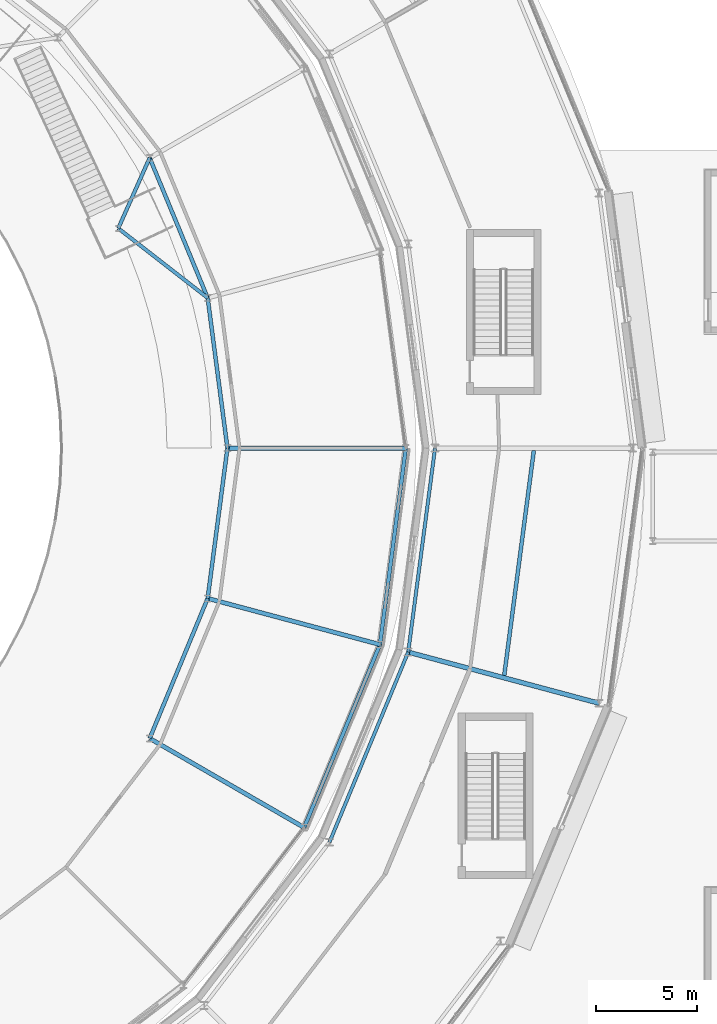
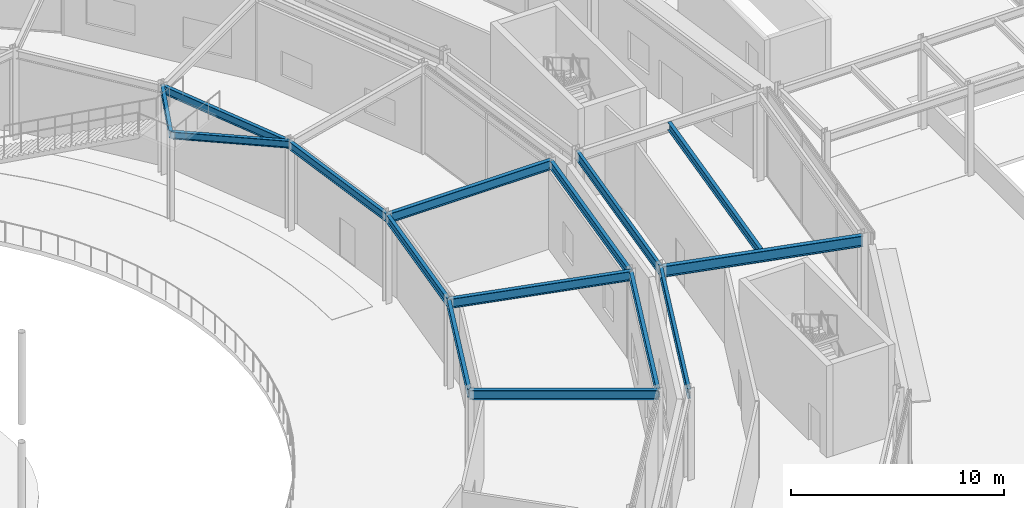
# One storey, part 54 of 168: 15 beams.
"""IFC4 building model written with IfcOpenShell, lengths in metres."""

from ifc_helpers import new_model, si_unit, direction, frame, origin, origin_2d, place, context, subcontext, project, spatial, i_section, extrude, material, material_profile, profile_set, type_object, element, save


model = new_model("IFC4")

# Units and contexts
model_context = context("Model", 3, precision=1e-05, world=origin(), true_north=direction((0.0, 1.0)))
body_context = subcontext(model_context, "Body", "Model", "MODEL_VIEW")
ifc_project = project(units=[si_unit("LENGTHUNIT", "METRE"), si_unit("AREAUNIT", "SQUARE_METRE"), si_unit("VOLUMEUNIT", "CUBIC_METRE"), si_unit("PLANEANGLEUNIT", "RADIAN"), si_unit("MASSUNIT", "GRAM", prefix="KILO")], contexts=[model_context])

# Site, building, storey
site_placement = place(None, origin())
site = spatial("IfcSite", under=ifc_project, at=site_placement, CompositionType="ELEMENT")
building_placement = place(site_placement, origin())
building = spatial("IfcBuilding", under=site, at=building_placement, Name="Almandine Court Research Institute", CompositionType="ELEMENT")
storey_placement = place(building_placement, origin())
storey = spatial("IfcBuildingStorey", under=building, at=storey_placement, Name="L00", CompositionType="ELEMENT", Elevation=0.0)

# Beams
ifc_material = material(Name="Steel ASTM A992 Grade 50", Category="steel")
ifc_material_profile_1 = material_profile(ifc_material, i_section(OverallWidth=0.18994140625, OverallDepth=0.45703125, WebThickness=0.009033203125, FlangeThickness=0.014892578125, at=origin_2d()), Name="W460x74")
ifc_profile_set_1 = profile_set([ifc_material_profile_1], Name="Steel ASTM A992 Grade 50")
beam_type_1 = type_object("IfcBeamType", Name="Beam-B-01", PredefinedType="BEAM", material=ifc_profile_set_1)
beam_1_placement = place(storey_placement, frame((129.531982421875, 44.72802734375, 4.841064453125), z_axis=(0.130512904889, 0.991446610594, 0.0), x_axis=(-0.991446610594, 0.130512904889, 0.0)))
element("IfcBeam", 1, at=beam_1_placement, inside=storey, type_object=beam_type_1, Name="L00 Drum MID Ring Beam 23", PredefinedType="BEAM", context=body_context, shape_type="SweptSolid", body=[
    extrude(i_section(OverallWidth=0.18994140625, OverallDepth=0.45703125, WebThickness=0.009033203125, FlangeThickness=0.014892578125, at=origin_2d()), origin(), (0.0, 0.0, 1.0), 11.248046875),
])
beam_2_placement = place(storey_placement, frame((115.800048828125, 56.0, 4.841064453125), z_axis=(-0.130474672489, 0.991451642713, 0.0), x_axis=(-0.991451642713, -0.130474672489, 0.0)))
element("IfcBeam", 2, at=beam_2_placement, inside=storey, type_object=beam_type_1, Name="L00 Atrium Gallery Edge Beam", PredefinedType="BEAM", context=body_context, shape_type="SweptSolid", body=[
    extrude(i_section(OverallWidth=0.18994140625, OverallDepth=0.45703125, WebThickness=0.009033203125, FlangeThickness=0.014892578125, at=origin_2d()), origin(), (0.0, 0.0, 1.0), 7.518310546875),
])
beam_3_placement = place(storey_placement, frame((114.819091796875, 63.4541015625, 4.841064453125), z_axis=(-0.382700732442, 0.923872366395, 0.0), x_axis=(-0.923872366395, -0.382700732442, 0.0)))
element("IfcBeam", 3, at=beam_3_placement, inside=storey, type_object=beam_type_1, Name="L00 Atrium Gallery Edge Beam", PredefinedType="BEAM", context=body_context, shape_type="SweptSolid", body=[
    extrude(i_section(OverallWidth=0.18994140625, OverallDepth=0.45703125, WebThickness=0.009033203125, FlangeThickness=0.014892578125, at=origin_2d()), origin(), (0.0, 0.0, 1.0), 7.51806640625),
])
beam_4_placement = place(storey_placement, frame((119.60595703125, 37.175048828125, 4.841064453125), z_axis=(0.382683080424, 0.92387967829, 0.0), x_axis=(-0.92387967829, 0.382683080424, 0.0)))
element("IfcBeam", 4, at=beam_4_placement, inside=storey, type_object=beam_type_1, Name="L00 Atrium Outer Ring Beam", PredefinedType="BEAM", context=body_context, shape_type="SweptSolid", body=[
    extrude(i_section(OverallWidth=0.18994140625, OverallDepth=0.45703125, WebThickness=0.009033203125, FlangeThickness=0.014892578125, at=origin_2d()), origin(), (0.0, 0.0, 1.0), 9.827880859375),
])
beam_5_placement = place(storey_placement, frame((111.94189453125, 41.60009765625, 4.841064453125), z_axis=(0.382700732442, 0.923872366395, 0.0), x_axis=(-0.923872366395, 0.382700732442, 0.0)))
element("IfcBeam", 5, at=beam_5_placement, inside=storey, type_object=beam_type_1, Name="L00 Atrium Gallery Edge Beam", PredefinedType="BEAM", context=body_context, shape_type="SweptSolid", body=[
    extrude(i_section(OverallWidth=0.18994140625, OverallDepth=0.45703125, WebThickness=0.009033203125, FlangeThickness=0.014892578125, at=origin_2d()), origin(), (0.0, 0.0, 1.0), 7.51806640625),
])
beam_6_placement = place(storey_placement, frame((123.366943359375, 46.2548828125, 4.841064453125), z_axis=(0.130525188913, 0.991444993461, 0.0), x_axis=(-0.991444993461, 0.130525188913, 0.0)))
element("IfcBeam", 6, at=beam_6_placement, inside=storey, type_object=beam_type_1, Name="L00 Atrium Outer Ring Beam", PredefinedType="BEAM", context=body_context, shape_type="SweptSolid", body=[
    extrude(i_section(OverallWidth=0.18994140625, OverallDepth=0.45703125, WebThickness=0.009033203125, FlangeThickness=0.014892578125, at=origin_2d()), origin(), (0.0, 0.0, 1.0), 9.8291015625),
])
beam_7_placement = place(storey_placement, frame((114.819091796875, 48.5458984375, 4.841064453125), z_axis=(0.130474672489, 0.991451642713, 0.0), x_axis=(-0.991451642713, 0.130474672489, 0.0)))
element("IfcBeam", 7, at=beam_7_placement, inside=storey, type_object=beam_type_1, Name="L00 Atrium Gallery Edge Beam", PredefinedType="BEAM", context=body_context, shape_type="SweptSolid", body=[
    extrude(i_section(OverallWidth=0.18994140625, OverallDepth=0.45703125, WebThickness=0.009033203125, FlangeThickness=0.014892578125, at=origin_2d()), origin(), (0.0, 0.0, 1.0), 7.518310546875),
])
ifc_material_profile_2 = material_profile(ifc_material, i_section(OverallWidth=0.178955078125, OverallDepth=0.409912109375, WebThickness=0.009033203125, FlangeThickness=0.013916015625, at=origin_2d()), Name="W410x67")
ifc_profile_set_2 = profile_set([ifc_material_profile_2], Name="Steel ASTM A992 Grade 50")
beam_type_2 = type_object("IfcBeamType", Name="Beam-B-02", PredefinedType="JOIST", material=ifc_profile_set_2)
beam_8_placement = place(storey_placement, frame((110.383056640625, 66.904052734375, 4.864990234375), z_axis=(0.789377948914, -0.613907528679, 0.0), x_axis=(0.613907528679, 0.789377948914, 0.0)))
element("IfcBeam", 8, at=beam_8_placement, inside=storey, type_object=beam_type_2, Name="L00 Atrium Stair 1 Landing Support Beam 1", PredefinedType="JOIST", context=body_context, shape_type="SweptSolid", body=[
    extrude(i_section(OverallWidth=0.178955078125, OverallDepth=0.409912109375, WebThickness=0.009033203125, FlangeThickness=0.013916015625, at=origin_2d()), origin(), (0.0, 0.0, 1.0), 5.61962890625),
])
beam_9_placement = place(storey_placement, frame((110.383056640625, 66.904052734375, 4.864990234375), z_axis=(0.407256671854, 0.913313748517, 0.0), x_axis=(-0.913313748517, 0.407256671854, 0.0)))
element("IfcBeam", 9, at=beam_9_placement, inside=storey, type_object=beam_type_2, Name="L00 Atrium Stair 1 Landing Support Beam 2", PredefinedType="JOIST", context=body_context, shape_type="SweptSolid", body=[
    extrude(i_section(OverallWidth=0.178955078125, OverallDepth=0.409912109375, WebThickness=0.009033203125, FlangeThickness=0.013916015625, at=origin_2d()), origin(), (0.0, 0.0, 1.0), 3.82763671875),
])
ifc_material_profile_3 = material_profile(ifc_material, i_section(OverallWidth=0.22998046875, OverallDepth=0.616943359375, WebThickness=0.012939453125, FlangeThickness=0.02197265625, at=origin_2d()), Name="W610x140")
ifc_profile_set_3 = profile_set([ifc_material_profile_3], Name="Steel ASTM A992 Grade 50")
beam_type_3 = type_object("IfcBeamType", Name="Beam-G-02", PredefinedType="BEAM", material=ifc_profile_set_3)
beam_10_placement = place(storey_placement, frame((124.76806640625, 45.8798828125, 4.760986328125), z_axis=(0.965937821551, -0.258774274024, 0.0), x_axis=(0.258774274024, 0.965937821551, 0.0)))
element("IfcBeam", 10, at=beam_10_placement, inside=storey, type_object=beam_type_3, Name="L00 Drum Radial Girder 23", PredefinedType="BEAM", context=body_context, shape_type="SweptSolid", body=[
    extrude(i_section(OverallWidth=0.22998046875, OverallDepth=0.616943359375, WebThickness=0.012939453125, FlangeThickness=0.02197265625, at=origin_2d()), origin(), (0.0, 0.0, 1.0), 9.799560546875),
])
ifc_material_profile_4 = material_profile(ifc_material, i_section(OverallWidth=0.2109375, OverallDepth=0.5390625, WebThickness=0.011962890625, FlangeThickness=0.01904296875, at=origin_2d()), Name="W530x109")
ifc_profile_set_4 = profile_set([ifc_material_profile_4], Name="Steel ASTM A992 Grade 50")
beam_type_4 = type_object("IfcBeamType", Name="Beam-G-04", PredefinedType="BEAM", material=ifc_profile_set_4)
for number, where, z_axis, x_axis, name in (
    (11, (115.800048828125, 56.0, 4.801025390625), (1.0, 0.0, 0.0), (0.0, 1.0, 0.0), "L00 Atrium Gallery Radial Girder"),
    (12, (111.94189453125, 41.60009765625, 4.801025390625), (0.866015604063, -0.50001697323, 0.0), (0.50001697323, 0.866015604063, 0.0), "L00 Atrium Gallery Radial Girder"),
):
    element("IfcBeam", number, at=place(storey_placement, frame(where, z_axis=z_axis, x_axis=x_axis)), inside=storey, type_object=beam_type_4, Name=name, PredefinedType="BEAM", context=body_context, shape_type="SweptSolid", body=[
        extrude(i_section(OverallWidth=0.2109375, OverallDepth=0.5390625, WebThickness=0.011962890625, FlangeThickness=0.01904296875, at=origin_2d()), origin(), (0.0, 0.0, 1.0), 8.849853515625),
    ])
beam_11_placement = place(storey_placement, frame((114.819091796875, 48.5458984375, 4.801025390625), z_axis=(0.965908147944, -0.258885012576, 0.0), x_axis=(0.258885012576, 0.965908147944, 0.0)))
element("IfcBeam", 13, at=beam_11_placement, inside=storey, type_object=beam_type_4, Name="L00 Atrium Gallery Radial Girder", PredefinedType="BEAM", context=body_context, shape_type="SweptSolid", body=[
    extrude(i_section(OverallWidth=0.2109375, OverallDepth=0.5390625, WebThickness=0.011962890625, FlangeThickness=0.01904296875, at=origin_2d()), origin(), (0.0, 0.0, 1.0), 8.849609375),
])
ifc_material_profile_5 = material_profile(ifc_material, i_section(OverallWidth=0.166015625, OverallDepth=0.534912109375, WebThickness=0.010009765625, FlangeThickness=0.01708984375, at=origin_2d()), Name="W530x85")
ifc_profile_set_5 = profile_set([ifc_material_profile_5], Name="Steel ASTM A992 Grade 50")
beam_type_5 = type_object("IfcBeamType", Name="Beam-G-05-E", PredefinedType="SPANDREL", material=ifc_profile_set_5)
beam_12_placement = place(storey_placement, frame((120.862060546875, 36.449951171875, 4.802978515625), z_axis=(0.382683455912, 0.923879522758, 0.0), x_axis=(-0.923879522758, 0.382683455912, 0.0)))
element("IfcBeam", 14, at=beam_12_placement, inside=storey, type_object=beam_type_5, Name="L00 Drum IN Ring Beam 22", PredefinedType="SPANDREL", context=body_context, shape_type="SweptSolid", body=[
    extrude(i_section(OverallWidth=0.166015625, OverallDepth=0.534912109375, WebThickness=0.010009765625, FlangeThickness=0.01708984375, at=origin_2d()), origin(), (0.0, 0.0, 1.0), 10.206787109375),
])
beam_13_placement = place(storey_placement, frame((124.76806640625, 45.8798828125, 4.802978515625), z_axis=(0.130496584681, 0.991448758831, 0.0), x_axis=(-0.991448758831, 0.130496584681, 0.0)))
element("IfcBeam", 15, at=beam_13_placement, inside=storey, type_object=beam_type_5, Name="L00 Drum IN Ring Beam 23", PredefinedType="SPANDREL", context=body_context, shape_type="SweptSolid", body=[
    extrude(i_section(OverallWidth=0.166015625, OverallDepth=0.534912109375, WebThickness=0.010009765625, FlangeThickness=0.01708984375, at=origin_2d()), origin(), (0.0, 0.0, 1.0), 10.20751953125),
])

save(model, "model.ifc")
